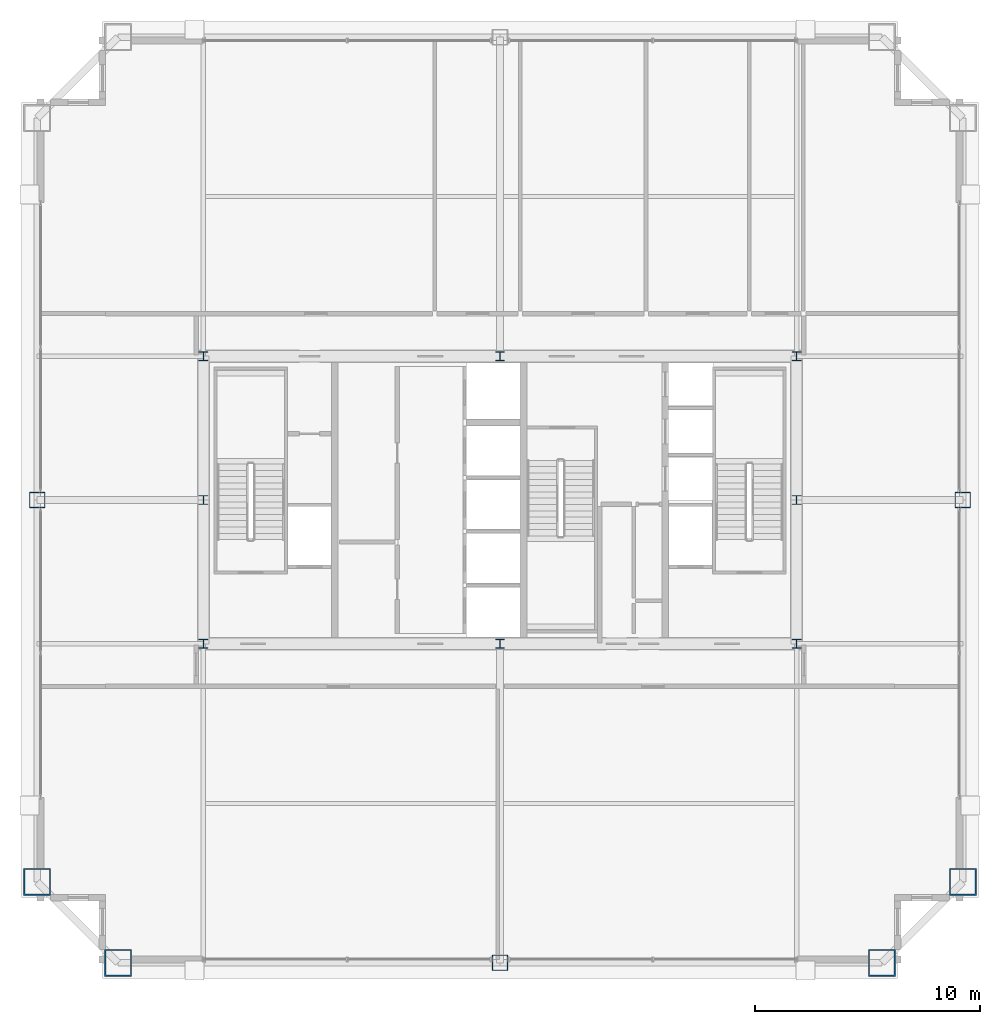
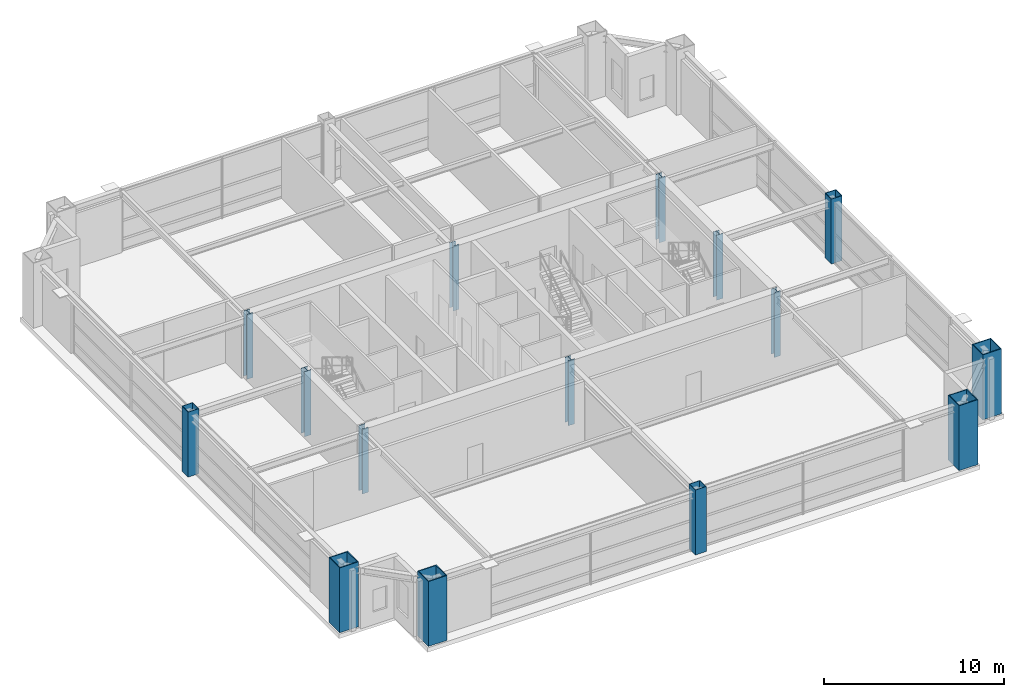
# One storey, part 1 of 26: 15 columns.
"""IFC4 building model written with IfcOpenShell, lengths in metres."""

from ifc_helpers import new_model, si_unit, direction, frame, origin, origin_2d, place, context, subcontext, project, spatial, hollow_rectangle, i_section, extrude, source, transform, mapped, material, material_profile, profile_set, type_object, element, save


model = new_model("IFC4")

# Units and contexts
model_context = context("Model", 3, precision=1e-05, world=origin(), true_north=direction((0.0, 1.0)))
body_context = subcontext(model_context, "Body", "Model", "MODEL_VIEW")
ifc_project = project(units=[si_unit("LENGTHUNIT", "METRE"), si_unit("AREAUNIT", "SQUARE_METRE"), si_unit("VOLUMEUNIT", "CUBIC_METRE"), si_unit("PLANEANGLEUNIT", "RADIAN"), si_unit("MASSUNIT", "GRAM", prefix="KILO"), si_unit("THERMODYNAMICTEMPERATUREUNIT", "KELVIN"), si_unit("POWERUNIT", "WATT")], contexts=[model_context])

# Site, building, storey
site_placement = place(None, origin())
site = spatial("IfcSite", under=ifc_project, at=site_placement, CompositionType="ELEMENT")
building_placement = place(site_placement, origin())
building = spatial("IfcBuilding", under=site, at=building_placement, Name="Yuzanri Waterfront Tower", CompositionType="ELEMENT")
storey_placement = place(building_placement, frame((0.0, 0.0, 259.10009765625)))
storey = spatial("IfcBuildingStorey", under=building, at=storey_placement, Name="L69", CompositionType="ELEMENT", Elevation=259.10009765625)

# Columns
ifc_material_1 = material(Name="Steel Q355B", Category="steel")
ifc_material_profile_1 = material_profile(ifc_material_1, i_section(OverallWidth=0.39990234375, OverallDepth=0.39990234375, WebThickness=0.012939453125, FlangeThickness=0.02099609375, at=origin_2d()), Name="HW 400x400x13x21")
ifc_profile_set_1 = profile_set([ifc_material_profile_1], Name="Steel Q355B")
column_type_1 = type_object("IfcColumnType", Name="Core Post Q355B HW 400x400x13x21", PredefinedType="COLUMN", material=ifc_profile_set_1)
shared_shape_1 = source(origin(), body_context, "Body", "SweptSolid", [
    extrude(i_section(OverallWidth=0.39990234375, OverallDepth=0.39990234375, WebThickness=0.012939453125, FlangeThickness=0.02099609375, at=origin_2d()), origin(), (0.0, 0.0, 1.0), 4.39990234375),
])
for number, where, z_axis, x_axis, name in (
    (1, (23.800048828125, 19.39990234375, 0.0), (0.0, 0.0, 1.0), (1.0, 0.0, 0.0), "L69 Core Boundary Column CP1"),
    (2, (37.0, 19.39990234375, 0.0), (0.0, 0.0, 1.0), (1.0, 0.0, 0.0), "L69 Core Boundary Column CP2"),
    (3, (50.199951171875, 19.39990234375, 0.0), (0.0, 0.0, 1.0), (1.0, 0.0, 0.0), "L69 Core Boundary Column CP3"),
    (4, (23.800048828125, 25.800048828125, 0.0), (0.0, 0.0, 1.0), (1.0, 0.0, 0.0), "L69 Core Boundary Column CP4"),
    (5, (50.199951171875, 25.800048828125, 0.0), (0.0, 0.0, 1.0), (1.0, 0.0, 0.0), "L69 Core Boundary Column CP5"),
    (6, (23.800048828125, 32.199951171875, 0.0), (0.0, 0.0, 1.0), (1.0, 0.0, 0.0), "L69 Core Boundary Column CP6"),
    (7, (37.0, 32.199951171875, 0.0), (0.0, 0.0, 1.0), (1.0, 0.0, 0.0), "L69 Core Boundary Column CP7"),
    (8, (50.199951171875, 32.199951171875, 0.0), (0.0, 0.0, 1.0), (1.0, 0.0, 0.0), "L69 Core Boundary Column CP8"),
):
    element("IfcColumn", number, at=place(storey_placement, frame(where, z_axis=z_axis, x_axis=x_axis)), inside=storey, type_object=column_type_1, Name=name, PredefinedType="COLUMN", context=body_context, shape_type="MappedRepresentation", body=[
        mapped(shared_shape_1, transform((0.0, 0.0, 0.0), scale=1.0)),
    ])
ifc_material_2 = material(Name="Steel Q390GJC", Category="steel")
ifc_material_profile_2 = material_profile(ifc_material_2, hollow_rectangle(XDim=1.199951171875, YDim=1.199951171875, WallThickness=0.054931640625, at=origin_2d()), Name="RHS 1200x1200x55")
ifc_profile_set_2 = profile_set([ifc_material_profile_2], Name="Steel Q390GJC")
column_type_2 = type_object("IfcColumnType", Name="Mega Column Q390GJC RHS 1200x1200x55", PredefinedType="COLUMN", material=ifc_profile_set_2)
shared_shape_2 = source(origin(), body_context, "Body", "SweptSolid", [
    extrude(hollow_rectangle(XDim=1.199951171875, YDim=1.199951171875, WallThickness=0.054931640625, at=origin_2d()), origin(), (0.0, 0.0, 1.0), 4.39990234375),
])
for number, where, z_axis, x_axis, name in (
    (9, (20.0, 5.199951171875, 0.0), (0.0, 0.0, 1.0), (1.0, 0.0, 0.0), "L69 Perimeter Mega Column S1"),
    (10, (54.0, 5.199951171875, 0.0), (0.0, 0.0, 1.0), (1.0, 0.0, 0.0), "L69 Perimeter Mega Column S3"),
    (11, (16.39990234375, 8.800048828125, 0.0), (0.0, 0.0, 1.0), (1.0, 0.0, 0.0), "L69 Perimeter Mega Column W1"),
    (12, (57.60009765625, 8.800048828125, 0.0), (0.0, 0.0, 1.0), (1.0, 0.0, 0.0), "L69 Perimeter Mega Column E1"),
):
    element("IfcColumn", number, at=place(storey_placement, frame(where, z_axis=z_axis, x_axis=x_axis)), inside=storey, type_object=column_type_2, Name=name, PredefinedType="COLUMN", context=body_context, shape_type="MappedRepresentation", body=[
        mapped(shared_shape_2, transform((0.0, 0.0, 0.0), scale=1.0)),
    ])
ifc_material_3 = material(Name="Steel Q355B", Category="steel")
ifc_material_profile_3 = material_profile(ifc_material_3, hollow_rectangle(XDim=0.699951171875, YDim=0.699951171875, WallThickness=0.031982421875, at=origin_2d()), Name="RHS 700x700x32")
ifc_profile_set_3 = profile_set([ifc_material_profile_3], Name="Steel Q355B")
column_type_3 = type_object("IfcColumnType", Name="Frame Column Q355B RHS 700x700x32", PredefinedType="COLUMN", material=ifc_profile_set_3)
shared_shape_3 = source(origin(), body_context, "Body", "SweptSolid", [
    extrude(hollow_rectangle(XDim=0.699951171875, YDim=0.699951171875, WallThickness=0.031982421875, at=origin_2d()), origin(), (0.0, 0.0, 1.0), 4.39990234375),
])
for number, where, z_axis, x_axis, name in (
    (13, (37.0, 5.199951171875, 0.0), (0.0, 0.0, 1.0), (1.0, 0.0, 0.0), "L69 Perimeter Frame Column S2"),
    (14, (16.39990234375, 25.800048828125, 0.0), (0.0, 0.0, 1.0), (1.0, 0.0, 0.0), "L69 Perimeter Frame Column W2"),
    (15, (57.60009765625, 25.800048828125, 0.0), (0.0, 0.0, 1.0), (1.0, 0.0, 0.0), "L69 Perimeter Frame Column E2"),
):
    element("IfcColumn", number, at=place(storey_placement, frame(where, z_axis=z_axis, x_axis=x_axis)), inside=storey, type_object=column_type_3, Name=name, PredefinedType="COLUMN", context=body_context, shape_type="MappedRepresentation", body=[
        mapped(shared_shape_3, transform((0.0, 0.0, 0.0), scale=1.0)),
    ])

save(model, "model.ifc")
